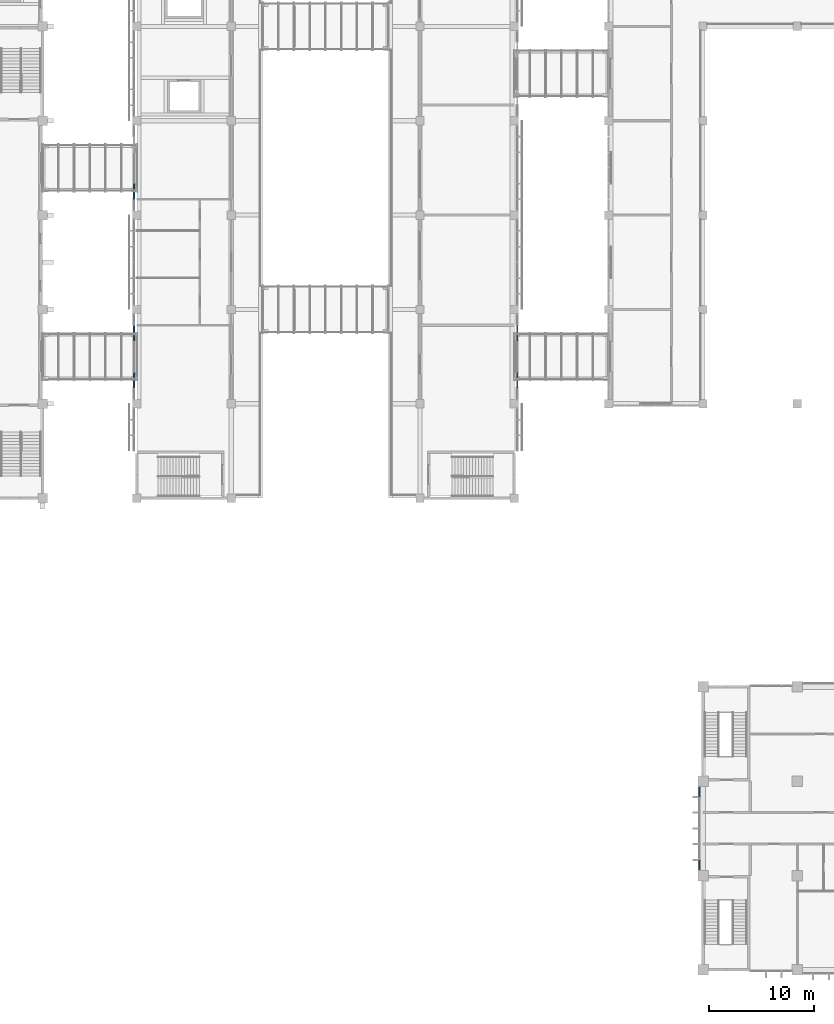
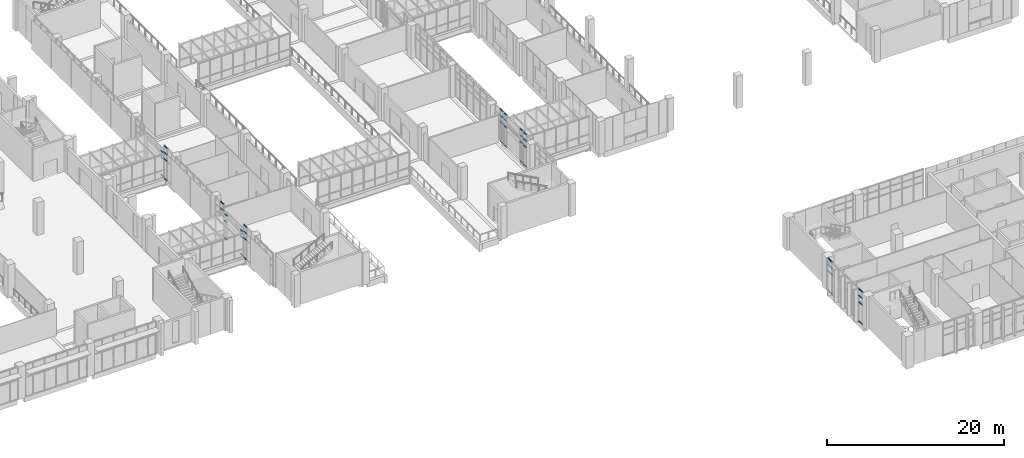
# One storey, part 36 of 88: 45 members, 9 elements without a shape of their own.
"""IFC4 building model written with IfcOpenShell, lengths in metres."""

from ifc_helpers import new_model, si_unit, direction, frame, origin, origin_2d, place, context, subcontext, project, spatial, rectangle, extrude, material, layer, layer_set, material_profile, profile_set, type_object, element, aggregate, save


model = new_model("IFC4")

# Units and contexts
model_context = context("Model", 3, precision=1e-05, world=origin(), true_north=direction((0.0, 1.0)))
body_context = subcontext(model_context, "Body", "Model", "MODEL_VIEW")
ifc_project = project(units=[si_unit("LENGTHUNIT", "METRE"), si_unit("AREAUNIT", "SQUARE_METRE"), si_unit("VOLUMEUNIT", "CUBIC_METRE"), si_unit("PLANEANGLEUNIT", "RADIAN"), si_unit("MASSUNIT", "GRAM", prefix="KILO")], contexts=[model_context])

# Site, building, storey
site_placement = place(None, origin())
site = spatial("IfcSite", under=ifc_project, at=site_placement, CompositionType="ELEMENT")
building_placement = place(site_placement, origin())
building = spatial("IfcBuilding", under=site, at=building_placement, Name="Guidao Yard Department Store", CompositionType="ELEMENT")
storey_placement = place(building_placement, frame((0.0, 0.0, 6.0)))
storey = spatial("IfcBuildingStorey", under=building, at=storey_placement, Name="L01", CompositionType="ELEMENT", Elevation=6.0)

# Curtain wall, members
ifc_material_1 = material(Name="Aluminium and glass", Category="aluminium")
ifc_layer_1 = layer(ifc_material_1, 0.159912109375)
ifc_layer_set_1 = layer_set([ifc_layer_1], Name="Shopfront curtain wall CW1 1500 module")
curtain_wall_type_1 = type_object("IfcCurtainWallType", Name="Shopfront curtain wall CW1 1500 module", PredefinedType="NOTDEFINED", material=ifc_layer_set_1)
curtain_wall_1_placement = place(storey_placement, origin())
curtain_wall_1 = element("IfcCurtainWall", 1, at=curtain_wall_1_placement, inside=storey, type_object=curtain_wall_type_1, Name="Arcade shop front", PredefinedType="NOTDEFINED")
ifc_material_2 = material(Name="Aluminium 6063-T5", Category="aluminium")
ifc_material_profile = material_profile(ifc_material_2, rectangle(XDim=0.1201171875, YDim=0.06005859375, at=origin_2d()), Name="Transom T1 60 x 120 aluminium pressure plate")
ifc_profile_set = profile_set([ifc_material_profile], Name="Aluminium 6063-T5")
member_type = type_object("IfcMemberType", Name="Transom T1 60 x 120 aluminium pressure plate", PredefinedType="USERDEFINED", material=ifc_profile_set)
member_1_placement = place(storey_placement, frame((71.719970703125, 55.530029296875, 0.030029296875), z_axis=(0.0, 1.0, 0.0), x_axis=(-1.0, 0.0, 0.0)))
member_1 = element("IfcMember", 2, at=member_1_placement, type_object=member_type, Name="CW-AS-L01-02 transom 2.1", ObjectType="TRANSOM", PredefinedType="USERDEFINED", context=body_context, shape_type="SweptSolid", body=[
    extrude(rectangle(XDim=0.1201171875, YDim=0.06005859375, at=origin_2d()), origin(), (0.0, 0.0, 1.0), 0.659912109375),
])
member_2_placement = place(storey_placement, frame((71.719970703125, 55.530029296875, 2.699951171875), z_axis=(0.0, 1.0, 0.0), x_axis=(-1.0, 0.0, 0.0)))
member_2 = element("IfcMember", 3, at=member_2_placement, type_object=member_type, Name="CW-AS-L01-02 transom 2.2", ObjectType="TRANSOM", PredefinedType="USERDEFINED", context=body_context, shape_type="SweptSolid", body=[
    extrude(rectangle(XDim=0.1201171875, YDim=0.06005859375, at=origin_2d()), origin(), (0.0, 0.0, 1.0), 0.659912109375),
])
member_3_placement = place(storey_placement, frame((71.719970703125, 55.530029296875, 3.60009765625), z_axis=(0.0, 1.0, 0.0), x_axis=(-1.0, 0.0, 0.0)))
member_3 = element("IfcMember", 4, at=member_3_placement, type_object=member_type, Name="CW-AS-L01-02 transom 2.3", ObjectType="TRANSOM", PredefinedType="USERDEFINED", context=body_context, shape_type="SweptSolid", body=[
    extrude(rectangle(XDim=0.1201171875, YDim=0.06005859375, at=origin_2d()), origin(), (0.0, 0.0, 1.0), 0.659912109375),
])
member_4_placement = place(storey_placement, frame((71.719970703125, 55.530029296875, 4.469970703125), z_axis=(0.0, 1.0, 0.0), x_axis=(-1.0, 0.0, 0.0)))
member_4 = element("IfcMember", 5, at=member_4_placement, type_object=member_type, Name="CW-AS-L01-02 transom 2.4", ObjectType="TRANSOM", PredefinedType="USERDEFINED", context=body_context, shape_type="SweptSolid", body=[
    extrude(rectangle(XDim=0.1201171875, YDim=0.06005859375, at=origin_2d()), origin(), (0.0, 0.0, 1.0), 0.659912109375),
])
aggregate(curtain_wall_1, [member_1, member_2, member_3, member_4])

curtain_wall_2_placement = place(storey_placement, origin())
curtain_wall_2 = element("IfcCurtainWall", 6, at=curtain_wall_2_placement, inside=storey, type_object=curtain_wall_type_1, Name="Arcade shop front", PredefinedType="NOTDEFINED")
member_5_placement = place(storey_placement, frame((71.719970703125, 56.469970703125, 0.030029296875), z_axis=(0.0, 1.0, 0.0), x_axis=(-1.0, 0.0, 0.0)))
member_5 = element("IfcMember", 7, at=member_5_placement, type_object=member_type, Name="CW-AS-L01-03 transom 1.1", ObjectType="TRANSOM", PredefinedType="USERDEFINED", context=body_context, shape_type="SweptSolid", body=[
    extrude(rectangle(XDim=0.1201171875, YDim=0.06005859375, at=origin_2d()), origin(), (0.0, 0.0, 1.0), 0.5),
])
member_6_placement = place(storey_placement, frame((71.719970703125, 56.469970703125, 2.449951171875), z_axis=(0.0, 1.0, 0.0), x_axis=(-1.0, 0.0, 0.0)))
member_6 = element("IfcMember", 8, at=member_6_placement, type_object=member_type, Name="CW-AS-L01-03 transom 1.2", ObjectType="TRANSOM", PredefinedType="USERDEFINED", context=body_context, shape_type="SweptSolid", body=[
    extrude(rectangle(XDim=0.1201171875, YDim=0.06005859375, at=origin_2d()), origin(), (0.0, 0.0, 1.0), 0.5),
])
member_7_placement = place(storey_placement, frame((71.719970703125, 56.469970703125, 3.320068359375), z_axis=(0.0, 1.0, 0.0), x_axis=(-1.0, 0.0, 0.0)))
member_7 = element("IfcMember", 9, at=member_7_placement, type_object=member_type, Name="CW-AS-L01-03 transom 1.3", ObjectType="TRANSOM", PredefinedType="USERDEFINED", context=body_context, shape_type="SweptSolid", body=[
    extrude(rectangle(XDim=0.1201171875, YDim=0.06005859375, at=origin_2d()), origin(), (0.0, 0.0, 1.0), 0.5),
])
member_8_placement = place(storey_placement, frame((71.719970703125, 60.030029296875, 0.030029296875), z_axis=(0.0, 1.0, 0.0), x_axis=(-1.0, 0.0, 0.0)))
member_8 = element("IfcMember", 10, at=member_8_placement, type_object=member_type, Name="CW-AS-L01-03 transom 3.1", ObjectType="TRANSOM", PredefinedType="USERDEFINED", context=body_context, shape_type="SweptSolid", body=[
    extrude(rectangle(XDim=0.1201171875, YDim=0.06005859375, at=origin_2d()), origin(), (0.0, 0.0, 1.0), 0.5),
])
member_9_placement = place(storey_placement, frame((71.719970703125, 60.030029296875, 2.449951171875), z_axis=(0.0, 1.0, 0.0), x_axis=(-1.0, 0.0, 0.0)))
member_9 = element("IfcMember", 11, at=member_9_placement, type_object=member_type, Name="CW-AS-L01-03 transom 3.2", ObjectType="TRANSOM", PredefinedType="USERDEFINED", context=body_context, shape_type="SweptSolid", body=[
    extrude(rectangle(XDim=0.1201171875, YDim=0.06005859375, at=origin_2d()), origin(), (0.0, 0.0, 1.0), 0.5),
])
member_10_placement = place(storey_placement, frame((71.719970703125, 60.030029296875, 3.320068359375), z_axis=(0.0, 1.0, 0.0), x_axis=(-1.0, 0.0, 0.0)))
member_10 = element("IfcMember", 12, at=member_10_placement, type_object=member_type, Name="CW-AS-L01-03 transom 3.3", ObjectType="TRANSOM", PredefinedType="USERDEFINED", context=body_context, shape_type="SweptSolid", body=[
    extrude(rectangle(XDim=0.1201171875, YDim=0.06005859375, at=origin_2d()), origin(), (0.0, 0.0, 1.0), 0.5),
])
aggregate(curtain_wall_2, [member_5, member_6, member_7, member_8, member_9, member_10])

curtain_wall_3_placement = place(storey_placement, origin())
curtain_wall_3 = element("IfcCurtainWall", 13, at=curtain_wall_3_placement, inside=storey, type_object=curtain_wall_type_1, Name="Arcade shop front", PredefinedType="NOTDEFINED")
member_11_placement = place(storey_placement, frame((71.719970703125, 60.81005859375, 0.030029296875), z_axis=(0.0, 1.0, 0.0), x_axis=(-1.0, 0.0, 0.0)))
member_11 = element("IfcMember", 14, at=member_11_placement, type_object=member_type, Name="CW-AS-L01-04 transom 1.1", ObjectType="TRANSOM", PredefinedType="USERDEFINED", context=body_context, shape_type="SweptSolid", body=[
    extrude(rectangle(XDim=0.1201171875, YDim=0.06005859375, at=origin_2d()), origin(), (0.0, 0.0, 1.0), 0.659912109375),
])
member_12_placement = place(storey_placement, frame((71.719970703125, 60.81005859375, 2.699951171875), z_axis=(0.0, 1.0, 0.0), x_axis=(-1.0, 0.0, 0.0)))
member_12 = element("IfcMember", 15, at=member_12_placement, type_object=member_type, Name="CW-AS-L01-04 transom 1.2", ObjectType="TRANSOM", PredefinedType="USERDEFINED", context=body_context, shape_type="SweptSolid", body=[
    extrude(rectangle(XDim=0.1201171875, YDim=0.06005859375, at=origin_2d()), origin(), (0.0, 0.0, 1.0), 0.659912109375),
])
member_13_placement = place(storey_placement, frame((71.719970703125, 60.81005859375, 3.60009765625), z_axis=(0.0, 1.0, 0.0), x_axis=(-1.0, 0.0, 0.0)))
member_13 = element("IfcMember", 16, at=member_13_placement, type_object=member_type, Name="CW-AS-L01-04 transom 1.3", ObjectType="TRANSOM", PredefinedType="USERDEFINED", context=body_context, shape_type="SweptSolid", body=[
    extrude(rectangle(XDim=0.1201171875, YDim=0.06005859375, at=origin_2d()), origin(), (0.0, 0.0, 1.0), 0.659912109375),
])
member_14_placement = place(storey_placement, frame((71.719970703125, 60.81005859375, 4.469970703125), z_axis=(0.0, 1.0, 0.0), x_axis=(-1.0, 0.0, 0.0)))
member_14 = element("IfcMember", 17, at=member_14_placement, type_object=member_type, Name="CW-AS-L01-04 transom 1.4", ObjectType="TRANSOM", PredefinedType="USERDEFINED", context=body_context, shape_type="SweptSolid", body=[
    extrude(rectangle(XDim=0.1201171875, YDim=0.06005859375, at=origin_2d()), origin(), (0.0, 0.0, 1.0), 0.659912109375),
])
aggregate(curtain_wall_3, [member_11, member_12, member_13, member_14])

curtain_wall_4_placement = place(storey_placement, origin())
curtain_wall_4 = element("IfcCurtainWall", 18, at=curtain_wall_4_placement, inside=storey, type_object=curtain_wall_type_1, Name="Arcade shop front", PredefinedType="NOTDEFINED")
member_15_placement = place(storey_placement, frame((71.719970703125, 73.530029296875, 0.030029296875), z_axis=(0.0, 1.0, 0.0), x_axis=(-1.0, 0.0, 0.0)))
member_15 = element("IfcMember", 19, at=member_15_placement, type_object=member_type, Name="CW-AS-L01-06 transom 2.1", ObjectType="TRANSOM", PredefinedType="USERDEFINED", context=body_context, shape_type="SweptSolid", body=[
    extrude(rectangle(XDim=0.1201171875, YDim=0.06005859375, at=origin_2d()), origin(), (0.0, 0.0, 1.0), 0.659912109375),
])
member_16_placement = place(storey_placement, frame((71.719970703125, 73.530029296875, 2.699951171875), z_axis=(0.0, 1.0, 0.0), x_axis=(-1.0, 0.0, 0.0)))
member_16 = element("IfcMember", 20, at=member_16_placement, type_object=member_type, Name="CW-AS-L01-06 transom 2.2", ObjectType="TRANSOM", PredefinedType="USERDEFINED", context=body_context, shape_type="SweptSolid", body=[
    extrude(rectangle(XDim=0.1201171875, YDim=0.06005859375, at=origin_2d()), origin(), (0.0, 0.0, 1.0), 0.659912109375),
])
member_17_placement = place(storey_placement, frame((71.719970703125, 73.530029296875, 3.60009765625), z_axis=(0.0, 1.0, 0.0), x_axis=(-1.0, 0.0, 0.0)))
member_17 = element("IfcMember", 21, at=member_17_placement, type_object=member_type, Name="CW-AS-L01-06 transom 2.3", ObjectType="TRANSOM", PredefinedType="USERDEFINED", context=body_context, shape_type="SweptSolid", body=[
    extrude(rectangle(XDim=0.1201171875, YDim=0.06005859375, at=origin_2d()), origin(), (0.0, 0.0, 1.0), 0.659912109375),
])
member_18_placement = place(storey_placement, frame((71.719970703125, 73.530029296875, 4.469970703125), z_axis=(0.0, 1.0, 0.0), x_axis=(-1.0, 0.0, 0.0)))
member_18 = element("IfcMember", 22, at=member_18_placement, type_object=member_type, Name="CW-AS-L01-06 transom 2.4", ObjectType="TRANSOM", PredefinedType="USERDEFINED", context=body_context, shape_type="SweptSolid", body=[
    extrude(rectangle(XDim=0.1201171875, YDim=0.06005859375, at=origin_2d()), origin(), (0.0, 0.0, 1.0), 0.659912109375),
])
aggregate(curtain_wall_4, [member_15, member_16, member_17, member_18])

curtain_wall_5_placement = place(storey_placement, origin())
curtain_wall_5 = element("IfcCurtainWall", 23, at=curtain_wall_5_placement, inside=storey, type_object=curtain_wall_type_1, Name="Arcade shop front", PredefinedType="NOTDEFINED")
member_19_placement = place(storey_placement, frame((71.719970703125, 74.469970703125, 0.030029296875), z_axis=(0.0, 1.0, 0.0), x_axis=(-1.0, 0.0, 0.0)))
member_19 = element("IfcMember", 24, at=member_19_placement, type_object=member_type, Name="CW-AS-L01-07 transom 1.1", ObjectType="TRANSOM", PredefinedType="USERDEFINED", context=body_context, shape_type="SweptSolid", body=[
    extrude(rectangle(XDim=0.1201171875, YDim=0.06005859375, at=origin_2d()), origin(), (0.0, 0.0, 1.0), 0.5),
])
member_20_placement = place(storey_placement, frame((71.719970703125, 74.469970703125, 2.449951171875), z_axis=(0.0, 1.0, 0.0), x_axis=(-1.0, 0.0, 0.0)))
member_20 = element("IfcMember", 25, at=member_20_placement, type_object=member_type, Name="CW-AS-L01-07 transom 1.2", ObjectType="TRANSOM", PredefinedType="USERDEFINED", context=body_context, shape_type="SweptSolid", body=[
    extrude(rectangle(XDim=0.1201171875, YDim=0.06005859375, at=origin_2d()), origin(), (0.0, 0.0, 1.0), 0.5),
])
member_21_placement = place(storey_placement, frame((71.719970703125, 74.469970703125, 3.320068359375), z_axis=(0.0, 1.0, 0.0), x_axis=(-1.0, 0.0, 0.0)))
member_21 = element("IfcMember", 26, at=member_21_placement, type_object=member_type, Name="CW-AS-L01-07 transom 1.3", ObjectType="TRANSOM", PredefinedType="USERDEFINED", context=body_context, shape_type="SweptSolid", body=[
    extrude(rectangle(XDim=0.1201171875, YDim=0.06005859375, at=origin_2d()), origin(), (0.0, 0.0, 1.0), 0.5),
])
aggregate(curtain_wall_5, [member_19, member_20, member_21])

curtain_wall_6_placement = place(storey_placement, origin())
curtain_wall_6 = element("IfcCurtainWall", 27, at=curtain_wall_6_placement, inside=storey, type_object=curtain_wall_type_1, Name="Arcade shop front", PredefinedType="NOTDEFINED")
member_22_placement = place(storey_placement, frame((108.280029296875, 56.18994140625, 0.030029296875), z_axis=(0.0, -1.0, 0.0), x_axis=(1.0, 0.0, 0.0)))
member_22 = element("IfcMember", 28, at=member_22_placement, type_object=member_type, Name="CW-AS-L01-13 transom 2.1", ObjectType="TRANSOM", PredefinedType="USERDEFINED", context=body_context, shape_type="SweptSolid", body=[
    extrude(rectangle(XDim=0.1201171875, YDim=0.06005859375, at=origin_2d()), origin(), (0.0, 0.0, 1.0), 0.659912109375),
])
member_23_placement = place(storey_placement, frame((108.280029296875, 56.18994140625, 2.699951171875), z_axis=(0.0, -1.0, 0.0), x_axis=(1.0, 0.0, 0.0)))
member_23 = element("IfcMember", 29, at=member_23_placement, type_object=member_type, Name="CW-AS-L01-13 transom 2.2", ObjectType="TRANSOM", PredefinedType="USERDEFINED", context=body_context, shape_type="SweptSolid", body=[
    extrude(rectangle(XDim=0.1201171875, YDim=0.06005859375, at=origin_2d()), origin(), (0.0, 0.0, 1.0), 0.659912109375),
])
member_24_placement = place(storey_placement, frame((108.280029296875, 56.18994140625, 3.60009765625), z_axis=(0.0, -1.0, 0.0), x_axis=(1.0, 0.0, 0.0)))
member_24 = element("IfcMember", 30, at=member_24_placement, type_object=member_type, Name="CW-AS-L01-13 transom 2.3", ObjectType="TRANSOM", PredefinedType="USERDEFINED", context=body_context, shape_type="SweptSolid", body=[
    extrude(rectangle(XDim=0.1201171875, YDim=0.06005859375, at=origin_2d()), origin(), (0.0, 0.0, 1.0), 0.659912109375),
])
member_25_placement = place(storey_placement, frame((108.280029296875, 56.18994140625, 4.469970703125), z_axis=(0.0, -1.0, 0.0), x_axis=(1.0, 0.0, 0.0)))
member_25 = element("IfcMember", 31, at=member_25_placement, type_object=member_type, Name="CW-AS-L01-13 transom 2.4", ObjectType="TRANSOM", PredefinedType="USERDEFINED", context=body_context, shape_type="SweptSolid", body=[
    extrude(rectangle(XDim=0.1201171875, YDim=0.06005859375, at=origin_2d()), origin(), (0.0, 0.0, 1.0), 0.659912109375),
])
aggregate(curtain_wall_6, [member_22, member_23, member_24, member_25])

curtain_wall_7_placement = place(storey_placement, origin())
curtain_wall_7 = element("IfcCurtainWall", 32, at=curtain_wall_7_placement, inside=storey, type_object=curtain_wall_type_1, Name="Arcade shop front", PredefinedType="NOTDEFINED")
member_26_placement = place(storey_placement, frame((108.280029296875, 56.969970703125, 0.030029296875), z_axis=(0.0, -1.0, 0.0), x_axis=(1.0, 0.0, 0.0)))
member_26 = element("IfcMember", 33, at=member_26_placement, type_object=member_type, Name="CW-AS-L01-14 transom 1.1", ObjectType="TRANSOM", PredefinedType="USERDEFINED", context=body_context, shape_type="SweptSolid", body=[
    extrude(rectangle(XDim=0.1201171875, YDim=0.06005859375, at=origin_2d()), origin(), (0.0, 0.0, 1.0), 0.5),
])
member_27_placement = place(storey_placement, frame((108.280029296875, 56.969970703125, 2.699951171875), z_axis=(0.0, -1.0, 0.0), x_axis=(1.0, 0.0, 0.0)))
member_27 = element("IfcMember", 34, at=member_27_placement, type_object=member_type, Name="CW-AS-L01-14 transom 1.2", ObjectType="TRANSOM", PredefinedType="USERDEFINED", context=body_context, shape_type="SweptSolid", body=[
    extrude(rectangle(XDim=0.1201171875, YDim=0.06005859375, at=origin_2d()), origin(), (0.0, 0.0, 1.0), 0.5),
])
member_28_placement = place(storey_placement, frame((108.280029296875, 56.969970703125, 3.60009765625), z_axis=(0.0, -1.0, 0.0), x_axis=(1.0, 0.0, 0.0)))
member_28 = element("IfcMember", 35, at=member_28_placement, type_object=member_type, Name="CW-AS-L01-14 transom 1.3", ObjectType="TRANSOM", PredefinedType="USERDEFINED", context=body_context, shape_type="SweptSolid", body=[
    extrude(rectangle(XDim=0.1201171875, YDim=0.06005859375, at=origin_2d()), origin(), (0.0, 0.0, 1.0), 0.5),
])
member_29_placement = place(storey_placement, frame((108.280029296875, 56.969970703125, 4.469970703125), z_axis=(0.0, -1.0, 0.0), x_axis=(1.0, 0.0, 0.0)))
member_29 = element("IfcMember", 36, at=member_29_placement, type_object=member_type, Name="CW-AS-L01-14 transom 1.4", ObjectType="TRANSOM", PredefinedType="USERDEFINED", context=body_context, shape_type="SweptSolid", body=[
    extrude(rectangle(XDim=0.1201171875, YDim=0.06005859375, at=origin_2d()), origin(), (0.0, 0.0, 1.0), 0.5),
])
member_30_placement = place(storey_placement, frame((108.280029296875, 60.530029296875, 0.030029296875), z_axis=(0.0, -1.0, 0.0), x_axis=(1.0, 0.0, 0.0)))
member_30 = element("IfcMember", 37, at=member_30_placement, type_object=member_type, Name="CW-AS-L01-14 transom 3.1", ObjectType="TRANSOM", PredefinedType="USERDEFINED", context=body_context, shape_type="SweptSolid", body=[
    extrude(rectangle(XDim=0.1201171875, YDim=0.06005859375, at=origin_2d()), origin(), (0.0, 0.0, 1.0), 0.5),
])
member_31_placement = place(storey_placement, frame((108.280029296875, 60.530029296875, 2.699951171875), z_axis=(0.0, -1.0, 0.0), x_axis=(1.0, 0.0, 0.0)))
member_31 = element("IfcMember", 38, at=member_31_placement, type_object=member_type, Name="CW-AS-L01-14 transom 3.2", ObjectType="TRANSOM", PredefinedType="USERDEFINED", context=body_context, shape_type="SweptSolid", body=[
    extrude(rectangle(XDim=0.1201171875, YDim=0.06005859375, at=origin_2d()), origin(), (0.0, 0.0, 1.0), 0.5),
])
member_32_placement = place(storey_placement, frame((108.280029296875, 60.530029296875, 3.60009765625), z_axis=(0.0, -1.0, 0.0), x_axis=(1.0, 0.0, 0.0)))
member_32 = element("IfcMember", 39, at=member_32_placement, type_object=member_type, Name="CW-AS-L01-14 transom 3.3", ObjectType="TRANSOM", PredefinedType="USERDEFINED", context=body_context, shape_type="SweptSolid", body=[
    extrude(rectangle(XDim=0.1201171875, YDim=0.06005859375, at=origin_2d()), origin(), (0.0, 0.0, 1.0), 0.5),
])
member_33_placement = place(storey_placement, frame((108.280029296875, 60.530029296875, 4.469970703125), z_axis=(0.0, -1.0, 0.0), x_axis=(1.0, 0.0, 0.0)))
member_33 = element("IfcMember", 40, at=member_33_placement, type_object=member_type, Name="CW-AS-L01-14 transom 3.4", ObjectType="TRANSOM", PredefinedType="USERDEFINED", context=body_context, shape_type="SweptSolid", body=[
    extrude(rectangle(XDim=0.1201171875, YDim=0.06005859375, at=origin_2d()), origin(), (0.0, 0.0, 1.0), 0.5),
])
aggregate(curtain_wall_7, [member_26, member_27, member_28, member_29, member_30, member_31, member_32, member_33])

curtain_wall_8_placement = place(storey_placement, origin())
curtain_wall_8 = element("IfcCurtainWall", 41, at=curtain_wall_8_placement, inside=storey, type_object=curtain_wall_type_1, Name="Arcade shop front", PredefinedType="NOTDEFINED")
member_34_placement = place(storey_placement, frame((108.280029296875, 61.469970703125, 0.030029296875), z_axis=(0.0, -1.0, 0.0), x_axis=(1.0, 0.0, 0.0)))
member_34 = element("IfcMember", 42, at=member_34_placement, type_object=member_type, Name="CW-AS-L01-15 transom 1.1", ObjectType="TRANSOM", PredefinedType="USERDEFINED", context=body_context, shape_type="SweptSolid", body=[
    extrude(rectangle(XDim=0.1201171875, YDim=0.06005859375, at=origin_2d()), origin(), (0.0, 0.0, 1.0), 0.659912109375),
])
member_35_placement = place(storey_placement, frame((108.280029296875, 61.469970703125, 2.699951171875), z_axis=(0.0, -1.0, 0.0), x_axis=(1.0, 0.0, 0.0)))
member_35 = element("IfcMember", 43, at=member_35_placement, type_object=member_type, Name="CW-AS-L01-15 transom 1.2", ObjectType="TRANSOM", PredefinedType="USERDEFINED", context=body_context, shape_type="SweptSolid", body=[
    extrude(rectangle(XDim=0.1201171875, YDim=0.06005859375, at=origin_2d()), origin(), (0.0, 0.0, 1.0), 0.659912109375),
])
member_36_placement = place(storey_placement, frame((108.280029296875, 61.469970703125, 3.60009765625), z_axis=(0.0, -1.0, 0.0), x_axis=(1.0, 0.0, 0.0)))
member_36 = element("IfcMember", 44, at=member_36_placement, type_object=member_type, Name="CW-AS-L01-15 transom 1.3", ObjectType="TRANSOM", PredefinedType="USERDEFINED", context=body_context, shape_type="SweptSolid", body=[
    extrude(rectangle(XDim=0.1201171875, YDim=0.06005859375, at=origin_2d()), origin(), (0.0, 0.0, 1.0), 0.659912109375),
])
member_37_placement = place(storey_placement, frame((108.280029296875, 61.469970703125, 4.469970703125), z_axis=(0.0, -1.0, 0.0), x_axis=(1.0, 0.0, 0.0)))
member_37 = element("IfcMember", 45, at=member_37_placement, type_object=member_type, Name="CW-AS-L01-15 transom 1.4", ObjectType="TRANSOM", PredefinedType="USERDEFINED", context=body_context, shape_type="SweptSolid", body=[
    extrude(rectangle(XDim=0.1201171875, YDim=0.06005859375, at=origin_2d()), origin(), (0.0, 0.0, 1.0), 0.659912109375),
])
aggregate(curtain_wall_8, [member_34, member_35, member_36, member_37])

ifc_material_3 = material(Name="Aluminium and glass", Category="aluminium")
ifc_layer_2 = layer(ifc_material_3, 0.159912109375)
ifc_layer_set_2 = layer_set([ifc_layer_2], Name="Unitised curtain wall CW4 1500 module")
curtain_wall_type_2 = type_object("IfcCurtainWallType", Name="Unitised curtain wall CW4 1500 module", PredefinedType="NOTDEFINED", material=ifc_layer_set_2)
curtain_wall_9_placement = place(storey_placement, origin())
curtain_wall_9 = element("IfcCurtainWall", 46, at=curtain_wall_9_placement, inside=storey, type_object=curtain_wall_type_2, Name="Unitised curtain wall", PredefinedType="NOTDEFINED")
member_38_placement = place(storey_placement, frame((125.669921875, 9.56005859375, 0.030029296875), z_axis=(0.0, 1.0, 0.0), x_axis=(-1.0, 0.0, 0.0)))
member_38 = element("IfcMember", 47, at=member_38_placement, type_object=member_type, Name="CW-OW-L01-05 transom 1.1", ObjectType="TRANSOM", PredefinedType="USERDEFINED", context=body_context, shape_type="SweptSolid", body=[
    extrude(rectangle(XDim=0.1201171875, YDim=0.06005859375, at=origin_2d()), origin(), (0.0, 0.0, 1.0), 0.909912109375),
])
member_39_placement = place(storey_placement, frame((125.669921875, 9.56005859375, 2.699951171875), z_axis=(0.0, 1.0, 0.0), x_axis=(-1.0, 0.0, 0.0)))
member_39 = element("IfcMember", 48, at=member_39_placement, type_object=member_type, Name="CW-OW-L01-05 transom 1.2", ObjectType="TRANSOM", PredefinedType="USERDEFINED", context=body_context, shape_type="SweptSolid", body=[
    extrude(rectangle(XDim=0.1201171875, YDim=0.06005859375, at=origin_2d()), origin(), (0.0, 0.0, 1.0), 0.909912109375),
])
member_40_placement = place(storey_placement, frame((125.669921875, 9.56005859375, 3.60009765625), z_axis=(0.0, 1.0, 0.0), x_axis=(-1.0, 0.0, 0.0)))
member_40 = element("IfcMember", 49, at=member_40_placement, type_object=member_type, Name="CW-OW-L01-05 transom 1.3", ObjectType="TRANSOM", PredefinedType="USERDEFINED", context=body_context, shape_type="SweptSolid", body=[
    extrude(rectangle(XDim=0.1201171875, YDim=0.06005859375, at=origin_2d()), origin(), (0.0, 0.0, 1.0), 0.909912109375),
])
member_41_placement = place(storey_placement, frame((125.669921875, 9.56005859375, 4.469970703125), z_axis=(0.0, 1.0, 0.0), x_axis=(-1.0, 0.0, 0.0)))
member_41 = element("IfcMember", 50, at=member_41_placement, type_object=member_type, Name="CW-OW-L01-05 transom 1.4", ObjectType="TRANSOM", PredefinedType="USERDEFINED", context=body_context, shape_type="SweptSolid", body=[
    extrude(rectangle(XDim=0.1201171875, YDim=0.06005859375, at=origin_2d()), origin(), (0.0, 0.0, 1.0), 0.909912109375),
])
member_42_placement = place(storey_placement, frame((125.669921875, 16.530029296875, 0.030029296875), z_axis=(0.0, 1.0, 0.0), x_axis=(-1.0, 0.0, 0.0)))
member_42 = element("IfcMember", 51, at=member_42_placement, type_object=member_type, Name="CW-OW-L01-05 transom 6.1", ObjectType="TRANSOM", PredefinedType="USERDEFINED", context=body_context, shape_type="SweptSolid", body=[
    extrude(rectangle(XDim=0.1201171875, YDim=0.06005859375, at=origin_2d()), origin(), (0.0, 0.0, 1.0), 0.909912109375),
])
member_43_placement = place(storey_placement, frame((125.669921875, 16.530029296875, 2.699951171875), z_axis=(0.0, 1.0, 0.0), x_axis=(-1.0, 0.0, 0.0)))
member_43 = element("IfcMember", 52, at=member_43_placement, type_object=member_type, Name="CW-OW-L01-05 transom 6.2", ObjectType="TRANSOM", PredefinedType="USERDEFINED", context=body_context, shape_type="SweptSolid", body=[
    extrude(rectangle(XDim=0.1201171875, YDim=0.06005859375, at=origin_2d()), origin(), (0.0, 0.0, 1.0), 0.909912109375),
])
member_44_placement = place(storey_placement, frame((125.669921875, 16.530029296875, 3.60009765625), z_axis=(0.0, 1.0, 0.0), x_axis=(-1.0, 0.0, 0.0)))
member_44 = element("IfcMember", 53, at=member_44_placement, type_object=member_type, Name="CW-OW-L01-05 transom 6.3", ObjectType="TRANSOM", PredefinedType="USERDEFINED", context=body_context, shape_type="SweptSolid", body=[
    extrude(rectangle(XDim=0.1201171875, YDim=0.06005859375, at=origin_2d()), origin(), (0.0, 0.0, 1.0), 0.909912109375),
])
member_45_placement = place(storey_placement, frame((125.669921875, 16.530029296875, 4.469970703125), z_axis=(0.0, 1.0, 0.0), x_axis=(-1.0, 0.0, 0.0)))
member_45 = element("IfcMember", 54, at=member_45_placement, type_object=member_type, Name="CW-OW-L01-05 transom 6.4", ObjectType="TRANSOM", PredefinedType="USERDEFINED", context=body_context, shape_type="SweptSolid", body=[
    extrude(rectangle(XDim=0.1201171875, YDim=0.06005859375, at=origin_2d()), origin(), (0.0, 0.0, 1.0), 0.909912109375),
])
aggregate(curtain_wall_9, [member_38, member_39, member_40, member_41, member_42, member_43, member_44, member_45])

save(model, "model.ifc")
